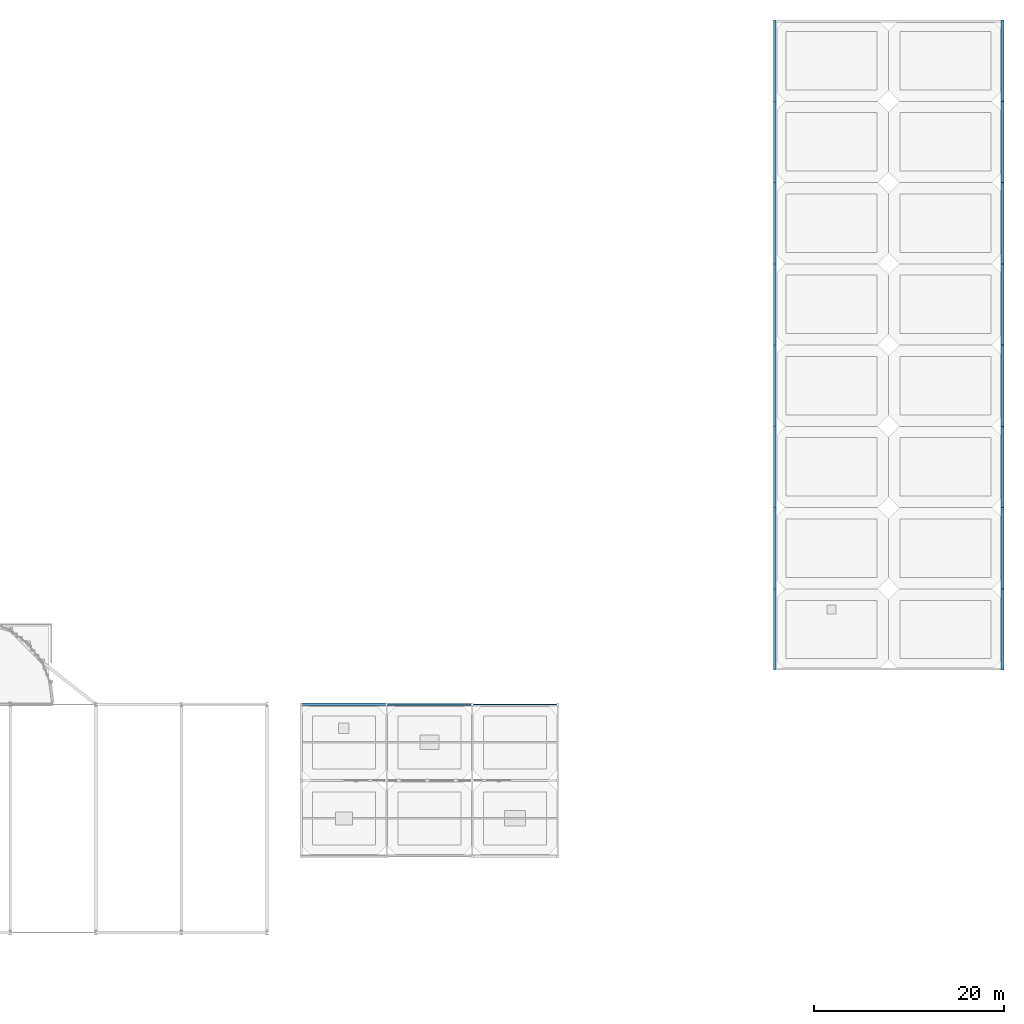
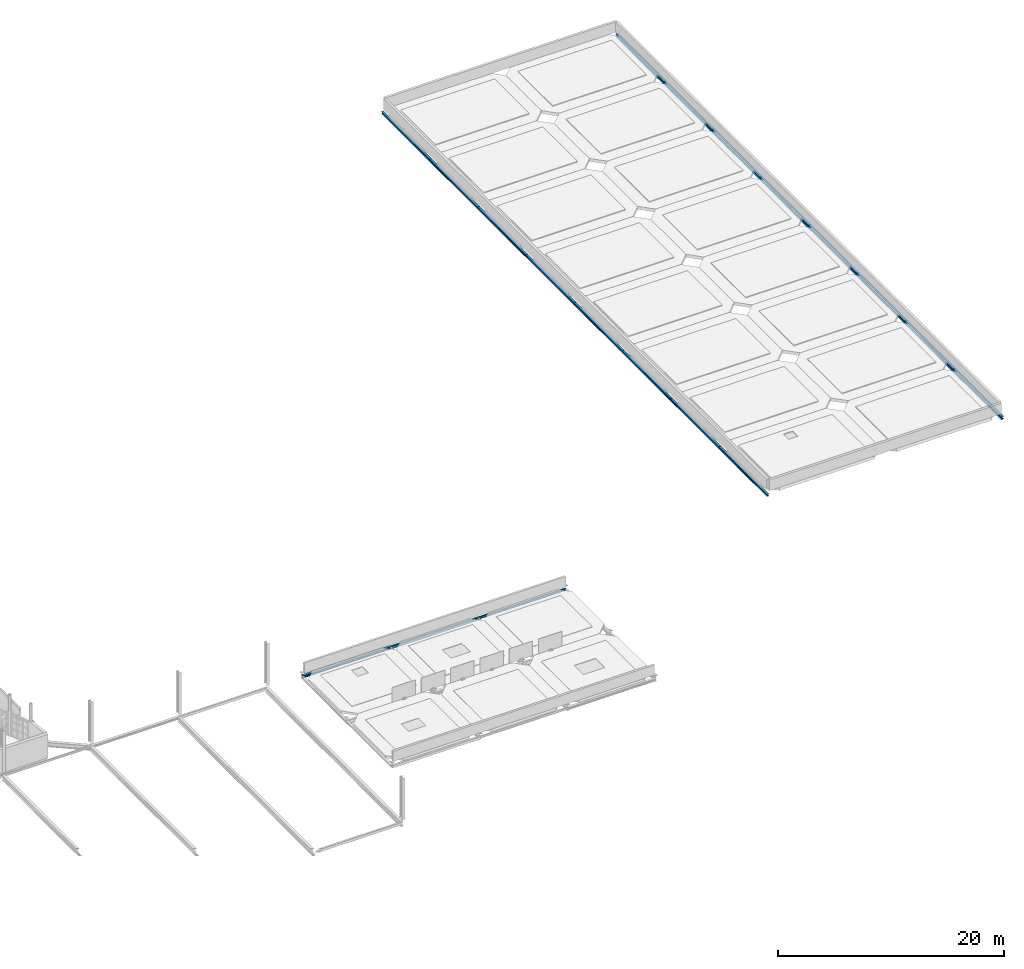
# One storey, part 16 of 44: 19 beams.
"""IFC4 building model written with IfcOpenShell, lengths in metres."""

import ifcopenshell
import ifcopenshell.guid

model = None  # the IFC model being written
_history = None  # IfcOwnerHistory: only IFC2X3 demands one
_inside = {}  # id of a spatial element -> (the spatial element, [elements in it])
_under = {}  # id of a project, library or spatial element -> (it, [spatial elements below it])
_declared = {}  # id of a project -> (the project, [libraries it declares])
_typed = {}  # id of a type object -> (the type object, [elements of that type])
_made_of = {}  # id of a material, layer set ... -> (it, [elements and type objects made of it])


def new_model(schema):
    """Start an empty IFC model of exactly this schema.

    Asked for "IFC4X3", IfcOpenShell would pick the latest addendum, in which some entities
    have other attributes; the version numbers below select the first issue.
    IFC2X3 requires an IfcOwnerHistory on every rooted entity: one is made here for all.
    """
    global model, _history
    if schema == "IFC4X3":
        model = ifcopenshell.file(schema_version=(4, 3, 0, 0))
    else:
        model = ifcopenshell.file(schema=schema)
    _inside.clear()
    _under.clear()
    _declared.clear()
    _typed.clear()
    _made_of.clear()
    _history = None
    if model.schema == "IFC2X3":
        org = make("IfcOrganization", Name="unknown")
        user = make(
            "IfcPersonAndOrganization",
            ThePerson=make("IfcPerson", FamilyName="unknown"),
            TheOrganization=org,
        )
        app = make(
            "IfcApplication",
            ApplicationDeveloper=org,
            Version="unknown",
            ApplicationFullName="unknown",
            ApplicationIdentifier="unknown",
        )
        _history = make(
            "IfcOwnerHistory",
            OwningUser=user,
            OwningApplication=app,
            ChangeAction="ADDED",
            CreationDate=0,
        )
    return model


def make(cls, **values):
    """One entity of the class cls with the attributes given. An attribute that is None is left unset."""
    return model.create_entity(
        cls, **{name: value for name, value in values.items() if value is not None}
    )


def rooted(cls, **values):
    """An entity with a GlobalId (a new one), such as an element, a storey or a relation."""
    return make(cls, GlobalId=ifcopenshell.guid.new(), OwnerHistory=_history, **values)


def si_unit(unit_type, name, prefix=None):
    """IfcSIUnit, for example si_unit("LENGTHUNIT", "METRE", prefix="MILLI")."""
    return make("IfcSIUnit", UnitType=unit_type, Prefix=prefix, Name=name)


def assignment(units):
    """IfcUnitAssignment: the units of a project."""
    return None if units is None else make("IfcUnitAssignment", Units=units)


def point(xyz):
    """IfcCartesianPoint."""
    return None if xyz is None else make("IfcCartesianPoint", Coordinates=xyz)


def direction(xyz):
    """IfcDirection."""
    return None if xyz is None else make("IfcDirection", DirectionRatios=xyz)


def frame(location, z_axis=None, x_axis=None):
    """IfcAxis2Placement3D, a coordinate frame: its origin and axes. An axis left out is left unset."""
    return make(
        "IfcAxis2Placement3D",
        Location=point(location),
        Axis=direction(z_axis),
        RefDirection=direction(x_axis),
    )


def frame_2d(location, x_axis=None):
    """IfcAxis2Placement2D, a coordinate frame in the plane: its origin and x axis."""
    return make(
        "IfcAxis2Placement2D", Location=point(location), RefDirection=direction(x_axis)
    )


def origin():
    """The frame at (0, 0, 0) with its axes left unset."""
    return frame((0.0, 0.0, 0.0))


def origin_2d():
    """The frame at (0, 0) in the plane with its x axis left unset."""
    return frame_2d((0.0, 0.0))


def place(relative_to, where):
    """IfcLocalPlacement: puts the frame where relative to a parent placement (None: the world)."""
    return make(
        "IfcLocalPlacement", PlacementRelTo=relative_to, RelativePlacement=where
    )


def context(
    kind, dimensions, precision=None, world=None, true_north=None, identifier=None
):
    """IfcGeometricRepresentationContext, for example the 3D "Model" context."""
    return make(
        "IfcGeometricRepresentationContext",
        ContextIdentifier=identifier,
        ContextType=kind,
        CoordinateSpaceDimension=dimensions,
        Precision=precision,
        WorldCoordinateSystem=world,
        TrueNorth=true_north,
    )


def subcontext(parent, identifier, kind, view, scale=None):
    """IfcGeometricRepresentationSubContext, for example "Body" below "Model"."""
    return make(
        "IfcGeometricRepresentationSubContext",
        ContextIdentifier=identifier,
        ContextType=kind,
        ParentContext=parent,
        TargetScale=scale,
        TargetView=view,
    )


def project(units=None, contexts=None):
    """IfcProject with its units and contexts."""
    return rooted(
        "IfcProject",
        Name="project",
        RepresentationContexts=contexts,
        UnitsInContext=assignment(units),
    )


def spatial(cls, under=None, at=None, **own):
    """A site, building, storey or space (cls), placed at a placement, below another one or the project."""
    s = rooted(cls, ObjectPlacement=at, **own)
    if under is not None:
        _under.setdefault(under.id(), (under, []))[1].append(s)
    return s


def profile(cls, at=None, kind="AREA", **sizes):
    """A parametric profile (cls). Its sizes go by their IFC names, for example OverallWidth=200.0."""
    return make(cls, ProfileType=kind, Position=at, **sizes)


def hollow_rectangle(**sizes):
    """IfcRectangleHollowProfileDef."""
    return profile("IfcRectangleHollowProfileDef", **sizes)


def i_section(**sizes):
    """IfcIShapeProfileDef."""
    return profile("IfcIShapeProfileDef", **sizes)


def extrude(swept, where, along, depth):
    """IfcExtrudedAreaSolid: the profile swept, set in the frame where, extruded along a direction by depth."""
    return make(
        "IfcExtrudedAreaSolid",
        SweptArea=swept,
        Position=where,
        ExtrudedDirection=direction(along),
        Depth=depth,
    )


def shape(context_of_items, identifier, shape_type, items):
    """IfcShapeRepresentation: the items that make up one representation, for example the "Body"."""
    return make(
        "IfcShapeRepresentation",
        ContextOfItems=context_of_items,
        RepresentationIdentifier=identifier,
        RepresentationType=shape_type,
        Items=items,
    )


def material(Name=None, Category=None):
    """IfcMaterial."""
    return make("IfcMaterial", Name=Name, Category=Category)


def material_profile(
    of_material, cross_section, Name=None, Category=None, Priority=None
):
    """IfcMaterialProfile: a cross section and its material."""
    return make(
        "IfcMaterialProfile",
        Name=Name,
        Material=of_material,
        Profile=cross_section,
        Priority=Priority,
        Category=Category,
    )


def profile_set(profiles, Name=None, composite=None):
    """IfcMaterialProfileSet."""
    return make(
        "IfcMaterialProfileSet",
        Name=Name,
        MaterialProfiles=profiles,
        CompositeProfile=composite,
    )


def made_of(thing, what):
    """Note that an element or type object is made of a material, layer set ...; save() writes the relation."""
    if what is not None:
        _made_of.setdefault(what.id(), (what, []))[1].append(thing)
    return thing


def type_object(cls, material=None, **own):
    """A type object (cls), such as IfcWallType, which elements share."""
    return made_of(rooted(cls, **own), material)


def element(
    cls,
    number,
    at=None,
    inside=None,
    cuts=None,
    type_object=None,
    material=None,
    context=None,
    identifier="Body",
    shape_type=None,
    held_by="IfcProductDefinitionShape",
    body=None,
    shapes=None,
    **own,
):
    """One element of the class cls, such as IfcWall. Its Tag is "e" and its number.

    at: its placement. inside: the storey or other place that contains it. cuts: it is an
    opening in that element (IfcRelVoidsElement). A single representation is given by context,
    identifier, shape_type and body (its items); several are given by shapes. held_by: the class
    of the entity that holds the representations. save() writes the other relations.
    """
    e = rooted(cls, Tag="e%d" % number, ObjectPlacement=at, **own)
    if body is not None:
        shapes = [shape(context, identifier, shape_type, body)]
    if shapes is not None:
        e.Representation = make(held_by, Representations=shapes)
    if inside is not None:
        _inside.setdefault(inside.id(), (inside, []))[1].append(e)
    if cuts is not None:
        rooted(
            "IfcRelVoidsElement", RelatingBuildingElement=cuts, RelatedOpeningElement=e
        )
    if type_object is not None:
        _typed.setdefault(type_object.id(), (type_object, []))[1].append(e)
    return made_of(e, material)


def aggregate(whole, parts):
    """IfcRelAggregates: a whole, such as a stair, and the parts it consists of."""
    return rooted("IfcRelAggregates", RelatingObject=whole, RelatedObjects=parts)


def save(model, path):
    """Write the relations noted so far, then the file.

    IfcRelAggregates (storeys below a building ...), IfcRelContainedInSpatialStructure (elements
    in a storey), IfcRelDefinesByType, IfcRelAssociatesMaterial and IfcRelDeclares: one each for
    every whole, place, type object, material and project.
    """
    for whole, parts in _under.values():
        aggregate(whole, parts)
    for where, things in _inside.values():
        rooted(
            "IfcRelContainedInSpatialStructure",
            RelatedElements=things,
            RelatingStructure=where,
        )
    for kind, things in _typed.values():
        rooted("IfcRelDefinesByType", RelatedObjects=things, RelatingType=kind)
    for what, things in _made_of.values():
        rooted("IfcRelAssociatesMaterial", RelatedObjects=things, RelatingMaterial=what)
    for by, libraries in _declared.values():
        rooted("IfcRelDeclares", RelatingContext=by, RelatedDefinitions=libraries)
    model.write(path)


model = new_model("IFC4")

# Units and contexts
model_context = context("Model", 3, precision=1e-05, world=origin(), true_north=direction((0.0, 1.0)))
body_context = subcontext(model_context, "Body", "Model", "MODEL_VIEW")
ifc_project = project(units=[si_unit("LENGTHUNIT", "METRE"), si_unit("AREAUNIT", "SQUARE_METRE"), si_unit("VOLUMEUNIT", "CUBIC_METRE"), si_unit("PLANEANGLEUNIT", "RADIAN"), si_unit("MASSUNIT", "GRAM", prefix="KILO")], contexts=[model_context])

# Site, building, storey
site_placement = place(None, origin())
site = spatial("IfcSite", under=ifc_project, at=site_placement, CompositionType="ELEMENT")
building_placement = place(site_placement, origin())
building = spatial("IfcBuilding", under=site, at=building_placement, Name="Serraforn Aerial Cableway Station", CompositionType="ELEMENT")
storey_placement = place(building_placement, frame((0.0, 0.0, 13.800048828125)))
storey = spatial("IfcBuildingStorey", under=building, at=storey_placement, Name="L03", CompositionType="ELEMENT", Elevation=13.800048828125)

# Beams
ifc_material_1 = material(Name="Steel S355JR", Category="steel")
ifc_material_profile_1 = material_profile(ifc_material_1, i_section(OverallWidth=0.239990234375, OverallDepth=0.239990234375, WebThickness=0.007568359375, FlangeThickness=0.011962890625, FilletRadius=0.02099609375, at=origin_2d()), Name="HEA 240")
ifc_profile_set_1 = profile_set([ifc_material_profile_1], Name="Steel S355JR")
beam_type_1 = type_object("IfcBeamType", Name="BM-ST-HEA240", PredefinedType="BEAM", material=ifc_profile_set_1)
beam_1_placement = place(storey_placement, frame((144.0, 45.60009765625, -0.449951171875), z_axis=(0.0, 1.0, 0.0), x_axis=(-1.0, 0.0, 0.0)))
element("IfcBeam", 1, at=beam_1_placement, inside=storey, type_object=beam_type_1, Name="Grid Girder Y EG L03 X1-1", PredefinedType="BEAM", context=body_context, shape_type="SweptSolid", body=[
    extrude(i_section(OverallWidth=0.239990234375, OverallDepth=0.239990234375, WebThickness=0.007568359375, FlangeThickness=0.011962890625, FilletRadius=0.02099609375, at=origin_2d()), origin(), (0.0, 0.0, 1.0), 8.5498046875),
])
for number, where, z_axis, x_axis, name in (
    (2, (144.0, 54.14990234375, -0.449951171875), (0.0, 1.0, 0.0), (-1.0, 0.0, 0.0), "Grid Girder Y EG L03 X1-2"),
    (3, (144.0, 62.699951171875, -0.449951171875), (0.0, 1.0, 0.0), (-1.0, 0.0, 0.0), "Grid Girder Y EG L03 X1-3"),
    (4, (144.0, 71.25, -0.449951171875), (0.0, 1.0, 0.0), (-1.0, 0.0, 0.0), "Grid Girder Y EG L03 X1-4"),
    (5, (144.0, 79.800048828125, -0.449951171875), (0.0, 1.0, 0.0), (-1.0, 0.0, 0.0), "Grid Girder Y EG L03 X1-5"),
):
    element("IfcBeam", number, at=place(storey_placement, frame(where, z_axis=z_axis, x_axis=x_axis)), inside=storey, type_object=beam_type_1, Name=name, PredefinedType="BEAM", context=body_context, shape_type="SweptSolid", body=[
        extrude(i_section(OverallWidth=0.239990234375, OverallDepth=0.239990234375, WebThickness=0.007568359375, FlangeThickness=0.011962890625, FilletRadius=0.02099609375, at=origin_2d()), origin(), (0.0, 0.0, 1.0), 8.550048828125),
    ])
beam_2_placement = place(storey_placement, frame((144.0, 88.35009765625, -0.449951171875), z_axis=(0.0, 1.0, 0.0), x_axis=(-1.0, 0.0, 0.0)))
element("IfcBeam", 6, at=beam_2_placement, inside=storey, type_object=beam_type_1, Name="Grid Girder Y EG L03 X1-6", PredefinedType="BEAM", context=body_context, shape_type="SweptSolid", body=[
    extrude(i_section(OverallWidth=0.239990234375, OverallDepth=0.239990234375, WebThickness=0.007568359375, FlangeThickness=0.011962890625, FilletRadius=0.02099609375, at=origin_2d()), origin(), (0.0, 0.0, 1.0), 8.5498046875),
])
for number, where, z_axis, x_axis, name in (
    (7, (144.0, 96.89990234375, -0.449951171875), (0.0, 1.0, 0.0), (-1.0, 0.0, 0.0), "Grid Girder Y EG L03 X1-7"),
    (8, (144.0, 105.449951171875, -0.449951171875), (0.0, 1.0, 0.0), (-1.0, 0.0, 0.0), "Grid Girder Y EG L03 X1-8"),
):
    element("IfcBeam", number, at=place(storey_placement, frame(where, z_axis=z_axis, x_axis=x_axis)), inside=storey, type_object=beam_type_1, Name=name, PredefinedType="BEAM", context=body_context, shape_type="SweptSolid", body=[
        extrude(i_section(OverallWidth=0.239990234375, OverallDepth=0.239990234375, WebThickness=0.007568359375, FlangeThickness=0.011962890625, FilletRadius=0.02099609375, at=origin_2d()), origin(), (0.0, 0.0, 1.0), 8.550048828125),
    ])
ifc_material_2 = material(Name="Steel S355J2", Category="steel")
ifc_material_profile_2 = material_profile(ifc_material_2, i_section(OverallWidth=0.260009765625, OverallDepth=0.260009765625, WebThickness=0.010009765625, FlangeThickness=0.017578125, FilletRadius=0.02392578125, at=origin_2d()), Name="HEB 260")
ifc_profile_set_2 = profile_set([ifc_material_profile_2], Name="Steel S355J2")
beam_type_2 = type_object("IfcBeamType", Name="BM-ST-HEB260", PredefinedType="BEAM", material=ifc_profile_set_2)
beam_3_placement = place(storey_placement, frame((94.199951171875, 42.0, -0.449951171875), z_axis=(1.0, 0.0, 0.0), x_axis=(0.0, 1.0, 0.0)))
element("IfcBeam", 9, at=beam_3_placement, inside=storey, type_object=beam_type_2, Name="Grid Girder X EL L03 Y3-1", PredefinedType="BEAM", context=body_context, shape_type="SweptSolid", body=[
    extrude(i_section(OverallWidth=0.260009765625, OverallDepth=0.260009765625, WebThickness=0.010009765625, FlangeThickness=0.017578125, FilletRadius=0.02392578125, at=origin_2d()), origin(), (0.0, 0.0, 1.0), 9.0),
])
ifc_material_profile_3 = material_profile(ifc_material_2, i_section(OverallWidth=0.300048828125, OverallDepth=0.300048828125, WebThickness=0.010986328125, FlangeThickness=0.01904296875, FilletRadius=0.027099609375, at=origin_2d()), Name="HEB 300")
ifc_profile_set_3 = profile_set([ifc_material_profile_3], Name="Steel S355J2")
beam_type_3 = type_object("IfcBeamType", Name="BM-ST-HEB300", PredefinedType="BEAM", material=ifc_profile_set_3)
beam_4_placement = place(storey_placement, frame((168.0, 45.60009765625, -0.47998046875), z_axis=(0.0, 1.0, 0.0), x_axis=(-1.0, 0.0, 0.0)))
element("IfcBeam", 10, at=beam_4_placement, inside=storey, type_object=beam_type_3, Name="Grid Girder Y EG L03 X3-1", PredefinedType="BEAM", context=body_context, shape_type="SweptSolid", body=[
    extrude(i_section(OverallWidth=0.300048828125, OverallDepth=0.300048828125, WebThickness=0.010986328125, FlangeThickness=0.01904296875, FilletRadius=0.027099609375, at=origin_2d()), origin(), (0.0, 0.0, 1.0), 8.5498046875),
])
for number, where, z_axis, x_axis, name in (
    (11, (168.0, 54.14990234375, -0.47998046875), (0.0, 1.0, 0.0), (-1.0, 0.0, 0.0), "Grid Girder Y EG L03 X3-2"),
    (12, (168.0, 62.699951171875, -0.47998046875), (0.0, 1.0, 0.0), (-1.0, 0.0, 0.0), "Grid Girder Y EG L03 X3-3"),
    (13, (168.0, 71.25, -0.47998046875), (0.0, 1.0, 0.0), (-1.0, 0.0, 0.0), "Grid Girder Y EG L03 X3-4"),
    (14, (168.0, 79.800048828125, -0.47998046875), (0.0, 1.0, 0.0), (-1.0, 0.0, 0.0), "Grid Girder Y EG L03 X3-5"),
):
    element("IfcBeam", number, at=place(storey_placement, frame(where, z_axis=z_axis, x_axis=x_axis)), inside=storey, type_object=beam_type_3, Name=name, PredefinedType="BEAM", context=body_context, shape_type="SweptSolid", body=[
        extrude(i_section(OverallWidth=0.300048828125, OverallDepth=0.300048828125, WebThickness=0.010986328125, FlangeThickness=0.01904296875, FilletRadius=0.027099609375, at=origin_2d()), origin(), (0.0, 0.0, 1.0), 8.550048828125),
    ])
beam_5_placement = place(storey_placement, frame((168.0, 88.35009765625, -0.47998046875), z_axis=(0.0, 1.0, 0.0), x_axis=(-1.0, 0.0, 0.0)))
element("IfcBeam", 15, at=beam_5_placement, inside=storey, type_object=beam_type_3, Name="Grid Girder Y EG L03 X3-6", PredefinedType="BEAM", context=body_context, shape_type="SweptSolid", body=[
    extrude(i_section(OverallWidth=0.300048828125, OverallDepth=0.300048828125, WebThickness=0.010986328125, FlangeThickness=0.01904296875, FilletRadius=0.027099609375, at=origin_2d()), origin(), (0.0, 0.0, 1.0), 8.5498046875),
])
for number, where, z_axis, x_axis, name in (
    (16, (168.0, 96.89990234375, -0.47998046875), (0.0, 1.0, 0.0), (-1.0, 0.0, 0.0), "Grid Girder Y EG L03 X3-7"),
    (17, (168.0, 105.449951171875, -0.47998046875), (0.0, 1.0, 0.0), (-1.0, 0.0, 0.0), "Grid Girder Y EG L03 X3-8"),
):
    element("IfcBeam", number, at=place(storey_placement, frame(where, z_axis=z_axis, x_axis=x_axis)), inside=storey, type_object=beam_type_3, Name=name, PredefinedType="BEAM", context=body_context, shape_type="SweptSolid", body=[
        extrude(i_section(OverallWidth=0.300048828125, OverallDepth=0.300048828125, WebThickness=0.010986328125, FlangeThickness=0.01904296875, FilletRadius=0.027099609375, at=origin_2d()), origin(), (0.0, 0.0, 1.0), 8.550048828125),
    ])
ifc_material_profile_4 = material_profile(ifc_material_1, i_section(OverallWidth=0.1201171875, OverallDepth=0.239990234375, WebThickness=0.006103515625, FlangeThickness=0.009765625, FilletRadius=0.014892578125, at=origin_2d()), Name="IPE 240")
ifc_profile_set_4 = profile_set([ifc_material_profile_4], Name="Steel S355JR")
beam_type_4 = type_object("IfcBeamType", Name="BM-ST-IPE240", PredefinedType="SPANDREL", material=ifc_profile_set_4)
beam_6_placement = place(storey_placement, frame((112.199951171875, 42.0, -0.43994140625), z_axis=(1.0, 0.0, 0.0), x_axis=(0.0, 1.0, 0.0)))
element("IfcBeam", 18, at=beam_6_placement, inside=storey, type_object=beam_type_4, Name="Grid Girder X EL L03 Y3-3", PredefinedType="SPANDREL", context=body_context, shape_type="SweptSolid", body=[
    extrude(i_section(OverallWidth=0.1201171875, OverallDepth=0.239990234375, WebThickness=0.006103515625, FlangeThickness=0.009765625, FilletRadius=0.014892578125, at=origin_2d()), origin(), (0.0, 0.0, 1.0), 9.0),
])
ifc_material_profile_5 = material_profile(ifc_material_2, hollow_rectangle(XDim=0.199951171875, YDim=0.300048828125, WallThickness=0.012451171875, InnerFilletRadius=0.012451171875, OuterFilletRadius=0.02490234375, at=origin_2d()), Name="RHS 300x200x12.5")
ifc_profile_set_5 = profile_set([ifc_material_profile_5], Name="Steel S355J2")
beam_type_5 = type_object("IfcBeamType", Name="BM-ST-RHS300", PredefinedType="SPANDREL", material=ifc_profile_set_5)
beam_7_placement = place(storey_placement, frame((103.199951171875, 42.0, -0.469970703125), z_axis=(1.0, 0.0, 0.0), x_axis=(0.0, 1.0, 0.0)))
element("IfcBeam", 19, at=beam_7_placement, inside=storey, type_object=beam_type_5, Name="Grid Girder X EL L03 Y3-2", PredefinedType="SPANDREL", context=body_context, shape_type="SweptSolid", body=[
    extrude(hollow_rectangle(XDim=0.199951171875, YDim=0.300048828125, WallThickness=0.012451171875, InnerFilletRadius=0.012451171875, OuterFilletRadius=0.02490234375, at=origin_2d()), origin(), (0.0, 0.0, 1.0), 9.0),
])

save(model, "model.ifc")
